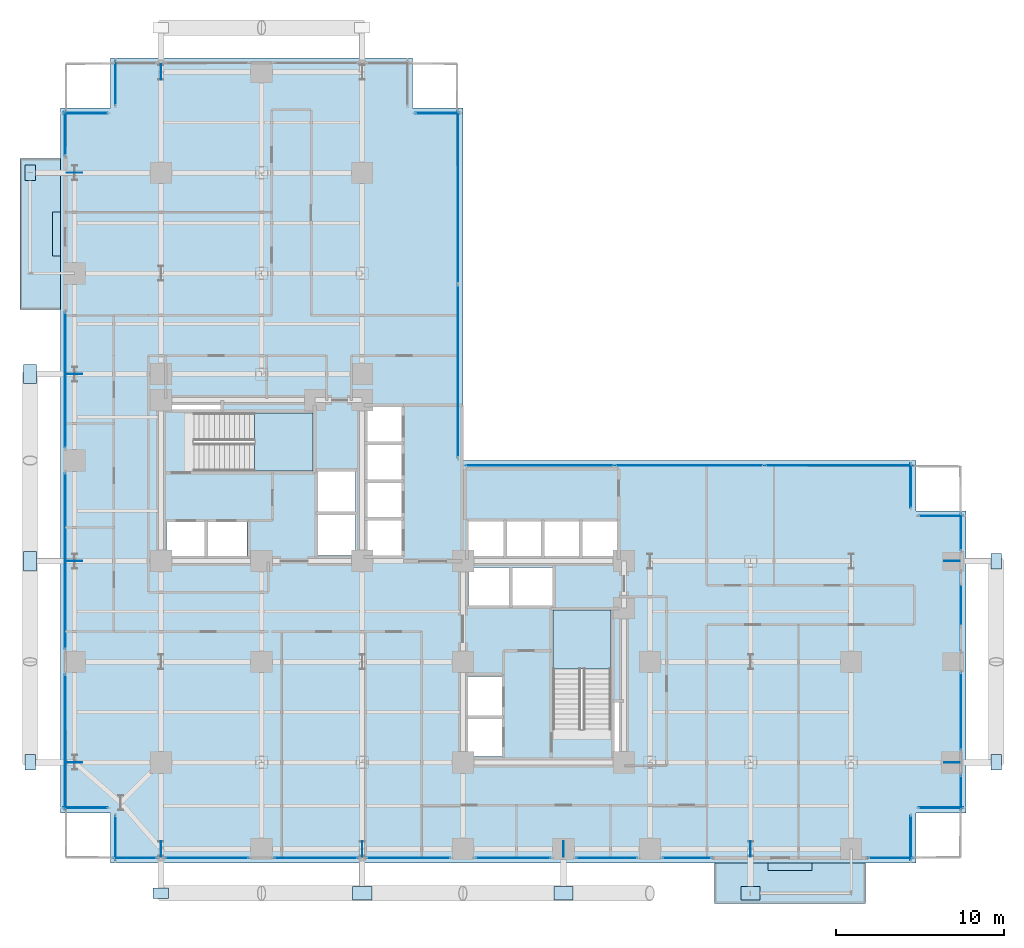
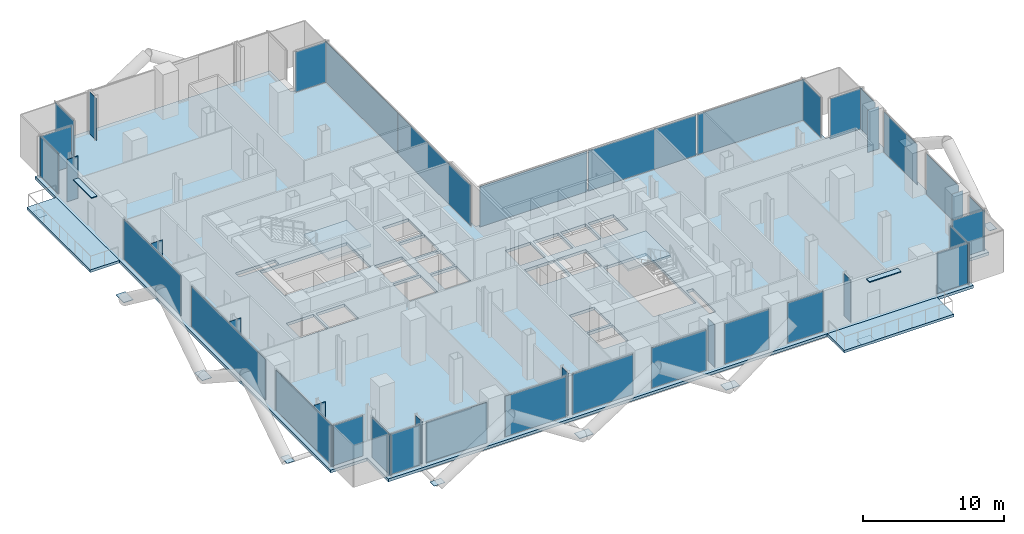
# One storey, part 17 of 27: 53 plates, 5 slabs, 29 elements without a shape of their own.
"""IFC4 building model written with IfcOpenShell, lengths in metres."""

from ifc_helpers import new_model, si_unit, direction, frame, origin, origin_2d, place, context, subcontext, project, spatial, polyline, rectangle, outline, extrude, material, layer, layer_set, type_object, element, aggregate, save


model = new_model("IFC4")

# Units and contexts
model_context = context("Model", 3, precision=1e-05, world=origin(), true_north=direction((0.0, 1.0)))
body_context = subcontext(model_context, "Body", "Model", "MODEL_VIEW")
ifc_project = project(units=[si_unit("LENGTHUNIT", "METRE"), si_unit("AREAUNIT", "SQUARE_METRE"), si_unit("VOLUMEUNIT", "CUBIC_METRE"), si_unit("PLANEANGLEUNIT", "RADIAN"), si_unit("MASSUNIT", "GRAM", prefix="KILO"), si_unit("THERMODYNAMICTEMPERATUREUNIT", "KELVIN"), si_unit("POWERUNIT", "WATT")], contexts=[model_context])

# Site, building, storey
site_placement = place(None, origin())
site = spatial("IfcSite", under=ifc_project, at=site_placement, CompositionType="ELEMENT")
building_placement = place(site_placement, origin())
building = spatial("IfcBuilding", under=site, at=building_placement, Name="Svarakhadi Broadcast Tower", CompositionType="ELEMENT")
storey_placement = place(building_placement, frame((0.0, 0.0, 40.199951171875)))
storey = spatial("IfcBuildingStorey", under=building, at=storey_placement, Name="L08", CompositionType="ELEMENT", Elevation=40.199951171875)

# Curtain wall, plate
ifc_material_1 = material(Name="Anodised Bronze Aluminium AA 6063-T6", Category="aluminium")
ifc_layer_1 = layer(ifc_material_1, 0.219970703125)
ifc_layer_set_1 = layer_set([ifc_layer_1], Name="Anodised Bronze Aluminium AA 6063-T6")
curtain_wall_type = type_object("IfcCurtainWallType", Name="CW_Sys_02", PredefinedType="NOTDEFINED", material=ifc_layer_set_1)
curtain_wall_1_placement = place(storey_placement, origin())
curtain_wall_1 = element("IfcCurtainWall", 1, at=curtain_wall_1_placement, inside=storey, type_object=curtain_wall_type, Name="L08 Unitised Facade Curtain Wall 01", PredefinedType="NOTDEFINED")
ifc_material_2 = material(Name="Double Low-E Laminated Acoustic Glass IGU 36 mm", Category="glass")
ifc_layer_2 = layer(ifc_material_2, 0.035888671875)
ifc_layer_set_2 = layer_set([ifc_layer_2], Name="Double Low-E Laminated Acoustic Glass IGU 36 mm")
plate_type_1 = type_object("IfcPlateType", Name="CW_Sys_02_Pnl", PredefinedType="CURTAIN_PANEL", material=ifc_layer_set_2)
plate_1_placement = place(storey_placement, frame((1.5, 3.300048828125, 0.074951171875), z_axis=(0.0, 0.0, 1.0), x_axis=(-1.0, 0.0, 0.0)))
plate_1 = element("IfcPlate", 2, at=plate_1_placement, type_object=plate_type_1, Name="CW-02 panel 1.1", PredefinedType="CURTAIN_PANEL", context=body_context, shape_type="SweptSolid", body=[
    extrude(rectangle(XDim=2.64990234375, YDim=0.035888671875, at=origin_2d()), origin(), (0.0, 0.0, 1.0), 3.5),
])
aggregate(curtain_wall_1, [plate_1])

curtain_wall_2_placement = place(storey_placement, origin())
curtain_wall_2 = element("IfcCurtainWall", 3, at=curtain_wall_2_placement, inside=storey, type_object=curtain_wall_type, Name="L08 West Curtain Wall 02 Bay 1", PredefinedType="NOTDEFINED")
plate_2_placement = place(storey_placement, frame((0.300048828125, 7.2099609375, 0.074951171875), z_axis=(0.0, 0.0, 1.0), x_axis=(0.0, 1.0, 0.0)))
plate_2 = element("IfcPlate", 4, at=plate_2_placement, type_object=plate_type_1, Name="CW-02 panel 1.1", PredefinedType="CURTAIN_PANEL", context=body_context, shape_type="SweptSolid", body=[
    extrude(rectangle(XDim=8.070068359375, YDim=0.035888671875, at=origin_2d()), origin(), (0.0, 0.0, 1.0), 3.5),
])
aggregate(curtain_wall_2, [plate_2])

curtain_wall_3_placement = place(storey_placement, origin())
curtain_wall_3 = element("IfcCurtainWall", 5, at=curtain_wall_3_placement, inside=storey, type_object=curtain_wall_type, Name="L08 West Curtain Wall 02 Bay 2", PredefinedType="NOTDEFINED")
plate_3_placement = place(storey_placement, frame((0.300048828125, 18.0, 0.074951171875), z_axis=(0.0, 0.0, 1.0), x_axis=(0.0, 1.0, 0.0)))
plate_3 = element("IfcPlate", 6, at=plate_3_placement, type_object=plate_type_1, Name="CW-02 panel 1.1", PredefinedType="CURTAIN_PANEL", context=body_context, shape_type="SweptSolid", body=[
    extrude(rectangle(XDim=10.489990234375, YDim=0.035888671875, at=origin_2d()), origin(), (0.0, 0.0, 1.0), 3.5),
])
aggregate(curtain_wall_3, [plate_3])

curtain_wall_4_placement = place(storey_placement, origin())
curtain_wall_4 = element("IfcCurtainWall", 7, at=curtain_wall_4_placement, inside=storey, type_object=curtain_wall_type, Name="L08 West Curtain Wall 02 Bay 3", PredefinedType="NOTDEFINED")
plate_4_placement = place(storey_placement, frame((0.300048828125, 28.7900390625, 0.074951171875), z_axis=(0.0, 0.0, 1.0), x_axis=(0.0, 1.0, 0.0)))
plate_4 = element("IfcPlate", 8, at=plate_4_placement, type_object=plate_type_1, Name="CW-02 panel 1.1", PredefinedType="CURTAIN_PANEL", context=body_context, shape_type="SweptSolid", body=[
    extrude(rectangle(XDim=8.070068359375, YDim=0.035888671875, at=origin_2d()), origin(), (0.0, 0.0, 1.0), 3.5),
])
aggregate(curtain_wall_4, [plate_4])

curtain_wall_5_placement = place(storey_placement, origin())
curtain_wall_5 = element("IfcCurtainWall", 9, at=curtain_wall_5_placement, inside=storey, type_object=curtain_wall_type, Name="L08 West Curtain Wall 03", PredefinedType="NOTDEFINED")
plate_5_placement = place(storey_placement, frame((0.300048828125, 43.5, 0.074951171875), z_axis=(0.0, 0.0, 1.0), x_axis=(0.0, 1.0, 0.0)))
plate_5 = element("IfcPlate", 10, at=plate_5_placement, type_object=plate_type_1, Name="CW-02 panel 1.1", PredefinedType="CURTAIN_PANEL", context=body_context, shape_type="SweptSolid", body=[
    extrude(rectangle(XDim=2.64990234375, YDim=0.035888671875, at=origin_2d()), origin(), (0.0, 0.0, 1.0), 3.5),
])
aggregate(curtain_wall_5, [plate_5])

curtain_wall_6_placement = place(storey_placement, origin())
curtain_wall_6 = element("IfcCurtainWall", 11, at=curtain_wall_6_placement, inside=storey, type_object=curtain_wall_type, Name="L08 Unitised Facade Curtain Wall 04", PredefinedType="NOTDEFINED")
plate_6_placement = place(storey_placement, frame((1.5, 44.699951171875, 0.074951171875), z_axis=(0.0, 0.0, 1.0), x_axis=(1.0, 0.0, 0.0)))
plate_6 = element("IfcPlate", 12, at=plate_6_placement, type_object=plate_type_1, Name="CW-02 panel 1.1", PredefinedType="CURTAIN_PANEL", context=body_context, shape_type="SweptSolid", body=[
    extrude(rectangle(XDim=2.64990234375, YDim=0.035888671875, at=origin_2d()), origin(), (0.0, 0.0, 1.0), 3.5),
])
aggregate(curtain_wall_6, [plate_6])

curtain_wall_7_placement = place(storey_placement, origin())
curtain_wall_7 = element("IfcCurtainWall", 13, at=curtain_wall_7_placement, inside=storey, type_object=curtain_wall_type, Name="L08 Unitised Facade Curtain Wall 05", PredefinedType="NOTDEFINED")
plate_7_placement = place(storey_placement, frame((3.300048828125, 46.5, 0.074951171875), z_axis=(0.0, 0.0, 1.0), x_axis=(0.0, 1.0, 0.0)))
plate_7 = element("IfcPlate", 14, at=plate_7_placement, type_object=plate_type_1, Name="CW-02 panel 1.1", PredefinedType="CURTAIN_PANEL", context=body_context, shape_type="SweptSolid", body=[
    extrude(rectangle(XDim=2.64990234375, YDim=0.035888671875, at=origin_2d()), origin(), (0.0, 0.0, 1.0), 3.5),
])
aggregate(curtain_wall_7, [plate_7])

curtain_wall_8_placement = place(storey_placement, origin())
curtain_wall_8 = element("IfcCurtainWall", 15, at=curtain_wall_8_placement, inside=storey, type_object=curtain_wall_type, Name="L08 Unitised Facade Curtain Wall 08", PredefinedType="NOTDEFINED")
plate_8_placement = place(storey_placement, frame((22.5, 44.699951171875, 0.074951171875), z_axis=(0.0, 0.0, 1.0), x_axis=(1.0, 0.0, 0.0)))
plate_8 = element("IfcPlate", 16, at=plate_8_placement, type_object=plate_type_1, Name="CW-02 panel 1.1", PredefinedType="CURTAIN_PANEL", context=body_context, shape_type="SweptSolid", body=[
    extrude(rectangle(XDim=2.64990234375, YDim=0.035888671875, at=origin_2d()), origin(), (0.0, 0.0, 1.0), 3.5),
])
aggregate(curtain_wall_8, [plate_8])

# Curtain wall, plates
curtain_wall_9_placement = place(storey_placement, origin())
curtain_wall_9 = element("IfcCurtainWall", 17, at=curtain_wall_9_placement, inside=storey, type_object=curtain_wall_type, Name="L08 Unitised Facade Curtain Wall 09", PredefinedType="NOTDEFINED")
plate_9_placement = place(storey_placement, frame((23.699951171875, 39.683837890625, 0.074951171875), z_axis=(0.0, 0.0, 1.0), x_axis=(0.0, -1.0, 0.0)))
plate_9 = element("IfcPlate", 18, at=plate_9_placement, type_object=plate_type_1, Name="CW-02 panel 1.1", PredefinedType="CURTAIN_PANEL", context=body_context, shape_type="SweptSolid", body=[
    extrude(rectangle(XDim=10.282470703125, YDim=0.035888671875, at=origin_2d()), origin(), (0.0, 0.0, 1.0), 3.5),
])
plate_10_placement = place(storey_placement, frame((23.699951171875, 29.316162109375, 0.074951171875), z_axis=(0.0, 0.0, 1.0), x_axis=(0.0, -1.0, 0.0)))
plate_10 = element("IfcPlate", 19, at=plate_10_placement, type_object=plate_type_1, Name="CW-02 panel 2.1", PredefinedType="CURTAIN_PANEL", context=body_context, shape_type="SweptSolid", body=[
    extrude(rectangle(XDim=10.282470703125, YDim=0.035888671875, at=origin_2d()), origin(), (0.0, 0.0, 1.0), 3.5),
])
aggregate(curtain_wall_9, [plate_9, plate_10])

curtain_wall_10_placement = place(storey_placement, origin())
curtain_wall_10 = element("IfcCurtainWall", 20, at=curtain_wall_10_placement, inside=storey, type_object=curtain_wall_type, Name="L08 Unitised Facade Curtain Wall 10", PredefinedType="NOTDEFINED")
plate_11_placement = place(storey_placement, frame((28.581298828125, 23.699951171875, 0.074951171875), z_axis=(0.0, 0.0, 1.0), x_axis=(1.0, 0.0, 0.0)))
plate_11 = element("IfcPlate", 21, at=plate_11_placement, type_object=plate_type_1, Name="CW-02 panel 1.1", PredefinedType="CURTAIN_PANEL", context=body_context, shape_type="SweptSolid", body=[
    extrude(rectangle(XDim=8.8125, YDim=0.035888671875, at=origin_2d()), origin(), (0.0, 0.0, 1.0), 3.5),
])
plate_12_placement = place(storey_placement, frame((37.5, 23.699951171875, 0.074951171875), z_axis=(0.0, 0.0, 1.0), x_axis=(1.0, 0.0, 0.0)))
plate_12 = element("IfcPlate", 22, at=plate_12_placement, type_object=plate_type_1, Name="CW-02 panel 2.1", PredefinedType="CURTAIN_PANEL", context=body_context, shape_type="SweptSolid", body=[
    extrude(rectangle(XDim=8.85498046875, YDim=0.035888671875, at=origin_2d()), origin(), (0.0, 0.0, 1.0), 3.5),
])
plate_13_placement = place(storey_placement, frame((46.418701171875, 23.699951171875, 0.074951171875), z_axis=(0.0, 0.0, 1.0), x_axis=(1.0, 0.0, 0.0)))
plate_13 = element("IfcPlate", 23, at=plate_13_placement, type_object=plate_type_1, Name="CW-02 panel 3.1", PredefinedType="CURTAIN_PANEL", context=body_context, shape_type="SweptSolid", body=[
    extrude(rectangle(XDim=8.8125, YDim=0.035888671875, at=origin_2d()), origin(), (0.0, 0.0, 1.0), 3.5),
])
aggregate(curtain_wall_10, [plate_11, plate_12, plate_13])

# Curtain wall, plate
curtain_wall_11_placement = place(storey_placement, origin())
curtain_wall_11 = element("IfcCurtainWall", 24, at=curtain_wall_11_placement, inside=storey, type_object=curtain_wall_type, Name="L08 Unitised Facade Curtain Wall 11", PredefinedType="NOTDEFINED")
plate_14_placement = place(storey_placement, frame((50.699951171875, 22.5, 0.074951171875), z_axis=(0.0, 0.0, 1.0), x_axis=(0.0, -1.0, 0.0)))
plate_14 = element("IfcPlate", 25, at=plate_14_placement, type_object=plate_type_1, Name="CW-02 panel 1.1", PredefinedType="CURTAIN_PANEL", context=body_context, shape_type="SweptSolid", body=[
    extrude(rectangle(XDim=2.64990234375, YDim=0.035888671875, at=origin_2d()), origin(), (0.0, 0.0, 1.0), 3.5),
])
aggregate(curtain_wall_11, [plate_14])

curtain_wall_12_placement = place(storey_placement, origin())
curtain_wall_12 = element("IfcCurtainWall", 26, at=curtain_wall_12_placement, inside=storey, type_object=curtain_wall_type, Name="L08 Unitised Facade Curtain Wall 12", PredefinedType="NOTDEFINED")
plate_15_placement = place(storey_placement, frame((52.5, 20.699951171875, 0.074951171875), z_axis=(0.0, 0.0, 1.0), x_axis=(1.0, 0.0, 0.0)))
plate_15 = element("IfcPlate", 27, at=plate_15_placement, type_object=plate_type_1, Name="CW-02 panel 1.1", PredefinedType="CURTAIN_PANEL", context=body_context, shape_type="SweptSolid", body=[
    extrude(rectangle(XDim=2.64990234375, YDim=0.035888671875, at=origin_2d()), origin(), (0.0, 0.0, 1.0), 3.5),
])
aggregate(curtain_wall_12, [plate_15])

curtain_wall_13_placement = place(storey_placement, origin())
curtain_wall_13 = element("IfcCurtainWall", 28, at=curtain_wall_13_placement, inside=storey, type_object=curtain_wall_type, Name="L08 Unitised Facade Curtain Wall 13 Bay 1", PredefinedType="NOTDEFINED")
plate_16_placement = place(storey_placement, frame((53.699951171875, 19.739990234375, 0.074951171875), z_axis=(0.0, 0.0, 1.0), x_axis=(0.0, -1.0, 0.0)))
plate_16 = element("IfcPlate", 29, at=plate_16_placement, type_object=plate_type_1, Name="CW-02 panel 1.1", PredefinedType="CURTAIN_PANEL", context=body_context, shape_type="SweptSolid", body=[
    extrude(rectangle(XDim=2.169921875, YDim=0.035888671875, at=origin_2d()), origin(), (0.0, 0.0, 1.0), 3.5),
])
aggregate(curtain_wall_13, [plate_16])

curtain_wall_14_placement = place(storey_placement, origin())
curtain_wall_14 = element("IfcCurtainWall", 30, at=curtain_wall_14_placement, inside=storey, type_object=curtain_wall_type, Name="L08 Unitised Facade Curtain Wall 13 Bay 2", PredefinedType="NOTDEFINED")
plate_17_placement = place(storey_placement, frame((53.699951171875, 15.0, 0.074951171875), z_axis=(0.0, 0.0, 1.0), x_axis=(0.0, -1.0, 0.0)))
plate_17 = element("IfcPlate", 31, at=plate_17_placement, type_object=plate_type_1, Name="CW-02 panel 1.1", PredefinedType="CURTAIN_PANEL", context=body_context, shape_type="SweptSolid", body=[
    extrude(rectangle(XDim=4.68994140625, YDim=0.035888671875, at=origin_2d()), origin(), (0.0, 0.0, 1.0), 3.5),
])
aggregate(curtain_wall_14, [plate_17])

curtain_wall_15_placement = place(storey_placement, origin())
curtain_wall_15 = element("IfcCurtainWall", 32, at=curtain_wall_15_placement, inside=storey, type_object=curtain_wall_type, Name="L08 Unitised Facade Curtain Wall 13 Bay 3", PredefinedType="NOTDEFINED")
plate_18_placement = place(storey_placement, frame((53.699951171875, 9.050048828125, 0.074951171875), z_axis=(0.0, 0.0, 1.0), x_axis=(0.0, -1.0, 0.0)))
plate_18 = element("IfcPlate", 33, at=plate_18_placement, type_object=plate_type_1, Name="CW-02 panel 1.1", PredefinedType="CURTAIN_PANEL", context=body_context, shape_type="SweptSolid", body=[
    extrude(rectangle(XDim=4.590087890625, YDim=0.035888671875, at=origin_2d()), origin(), (0.0, 0.0, 1.0), 3.5),
])
aggregate(curtain_wall_15, [plate_18])

curtain_wall_16_placement = place(storey_placement, origin())
curtain_wall_16 = element("IfcCurtainWall", 34, at=curtain_wall_16_placement, inside=storey, type_object=curtain_wall_type, Name="L08 Unitised Facade Curtain Wall 13 Bay 4", PredefinedType="NOTDEFINED")
plate_19_placement = place(storey_placement, frame((53.699951171875, 4.2099609375, 0.074951171875), z_axis=(0.0, 0.0, 1.0), x_axis=(0.0, -1.0, 0.0)))
plate_19 = element("IfcPlate", 35, at=plate_19_placement, type_object=plate_type_1, Name="CW-02 panel 1.1", PredefinedType="CURTAIN_PANEL", context=body_context, shape_type="SweptSolid", body=[
    extrude(rectangle(XDim=2.070068359375, YDim=0.035888671875, at=origin_2d()), origin(), (0.0, 0.0, 1.0), 3.5),
])
aggregate(curtain_wall_16, [plate_19])

curtain_wall_17_placement = place(storey_placement, origin())
curtain_wall_17 = element("IfcCurtainWall", 36, at=curtain_wall_17_placement, inside=storey, type_object=curtain_wall_type, Name="L08 Unitised Facade Curtain Wall 14", PredefinedType="NOTDEFINED")
plate_20_placement = place(storey_placement, frame((52.5, 3.300048828125, 0.074951171875), z_axis=(0.0, 0.0, 1.0), x_axis=(-1.0, 0.0, 0.0)))
plate_20 = element("IfcPlate", 37, at=plate_20_placement, type_object=plate_type_1, Name="CW-02 panel 1.1", PredefinedType="CURTAIN_PANEL", context=body_context, shape_type="SweptSolid", body=[
    extrude(rectangle(XDim=2.64990234375, YDim=0.035888671875, at=origin_2d()), origin(), (0.0, 0.0, 1.0), 3.5),
])
aggregate(curtain_wall_17, [plate_20])

curtain_wall_18_placement = place(storey_placement, origin())
curtain_wall_18 = element("IfcCurtainWall", 38, at=curtain_wall_18_placement, inside=storey, type_object=curtain_wall_type, Name="L08 Unitised Facade Curtain Wall 15", PredefinedType="NOTDEFINED")
plate_21_placement = place(storey_placement, frame((50.699951171875, 1.5, 0.074951171875), z_axis=(0.0, 0.0, 1.0), x_axis=(0.0, -1.0, 0.0)))
plate_21 = element("IfcPlate", 39, at=plate_21_placement, type_object=plate_type_1, Name="CW-02 panel 1.1", PredefinedType="CURTAIN_PANEL", context=body_context, shape_type="SweptSolid", body=[
    extrude(rectangle(XDim=2.64990234375, YDim=0.035888671875, at=origin_2d()), origin(), (0.0, 0.0, 1.0), 3.5),
])
aggregate(curtain_wall_18, [plate_21])

curtain_wall_19_placement = place(storey_placement, origin())
curtain_wall_19 = element("IfcCurtainWall", 40, at=curtain_wall_19_placement, inside=storey, type_object=curtain_wall_type, Name="L08 South Curtain Wall 16", PredefinedType="NOTDEFINED")
plate_22_placement = place(storey_placement, frame((49.5, 0.300048828125, 0.074951171875), z_axis=(0.0, 0.0, 1.0), x_axis=(-1.0, 0.0, 0.0)))
plate_22 = element("IfcPlate", 41, at=plate_22_placement, type_object=plate_type_1, Name="CW-02 panel 1.1", PredefinedType="CURTAIN_PANEL", context=body_context, shape_type="SweptSolid", body=[
    extrude(rectangle(XDim=2.64990234375, YDim=0.035888671875, at=origin_2d()), origin(), (0.0, 0.0, 1.0), 3.5),
])
aggregate(curtain_wall_19, [plate_22])

curtain_wall_20_placement = place(storey_placement, origin())
curtain_wall_20 = element("IfcCurtainWall", 42, at=curtain_wall_20_placement, inside=storey, type_object=curtain_wall_type, Name="L08 South Curtain Wall 17 Bay 1", PredefinedType="NOTDEFINED")
plate_23_placement = place(storey_placement, frame((37.364990234375, 0.300048828125, 0.074951171875), z_axis=(0.0, 0.0, 1.0), x_axis=(-1.0, 0.0, 0.0)))
plate_23 = element("IfcPlate", 43, at=plate_23_placement, type_object=plate_type_1, Name="CW-02 panel 1.1", PredefinedType="CURTAIN_PANEL", context=body_context, shape_type="SweptSolid", body=[
    extrude(rectangle(XDim=2.919921875, YDim=0.035888671875, at=origin_2d()), origin(), (0.0, 0.0, 1.0), 3.5),
])
aggregate(curtain_wall_20, [plate_23])

curtain_wall_21_placement = place(storey_placement, origin())
curtain_wall_21 = element("IfcCurtainWall", 44, at=curtain_wall_21_placement, inside=storey, type_object=curtain_wall_type, Name="L08 South Curtain Wall 17 Bay 2", PredefinedType="NOTDEFINED")
plate_24_placement = place(storey_placement, frame((32.574951171875, 0.300048828125, 0.074951171875), z_axis=(0.0, 0.0, 1.0), x_axis=(-1.0, 0.0, 0.0)))
plate_24 = element("IfcPlate", 45, at=plate_24_placement, type_object=plate_type_1, Name="CW-02 panel 1.1", PredefinedType="CURTAIN_PANEL", context=body_context, shape_type="SweptSolid", body=[
    extrude(rectangle(XDim=3.639892578125, YDim=0.035888671875, at=origin_2d()), origin(), (0.0, 0.0, 1.0), 3.5),
])
aggregate(curtain_wall_21, [plate_24])

curtain_wall_22_placement = place(storey_placement, origin())
curtain_wall_22 = element("IfcCurtainWall", 46, at=curtain_wall_22_placement, inside=storey, type_object=curtain_wall_type, Name="L08 South Curtain Wall 17 Bay 3", PredefinedType="NOTDEFINED")
plate_25_placement = place(storey_placement, frame((27.0, 0.300048828125, 0.074951171875), z_axis=(0.0, 0.0, 1.0), x_axis=(-1.0, 0.0, 0.0)))
plate_25 = element("IfcPlate", 47, at=plate_25_placement, type_object=plate_type_1, Name="CW-02 panel 1.1", PredefinedType="CURTAIN_PANEL", context=body_context, shape_type="SweptSolid", body=[
    extrude(rectangle(XDim=4.489990234375, YDim=0.035888671875, at=origin_2d()), origin(), (0.0, 0.0, 1.0), 3.5),
])
aggregate(curtain_wall_22, [plate_25])

curtain_wall_23_placement = place(storey_placement, origin())
curtain_wall_23 = element("IfcCurtainWall", 48, at=curtain_wall_23_placement, inside=storey, type_object=curtain_wall_type, Name="L08 South Curtain Wall 17 Bay 4", PredefinedType="NOTDEFINED")
plate_26_placement = place(storey_placement, frame((20.75, 0.300048828125, 0.074951171875), z_axis=(0.0, 0.0, 1.0), x_axis=(-1.0, 0.0, 0.0)))
plate_26 = element("IfcPlate", 49, at=plate_26_placement, type_object=plate_type_1, Name="CW-02 panel 1.1", PredefinedType="CURTAIN_PANEL", context=body_context, shape_type="SweptSolid", body=[
    extrude(rectangle(XDim=4.989990234375, YDim=0.035888671875, at=origin_2d()), origin(), (0.0, 0.0, 1.0), 3.5),
])
aggregate(curtain_wall_23, [plate_26])

curtain_wall_24_placement = place(storey_placement, origin())
curtain_wall_24 = element("IfcCurtainWall", 50, at=curtain_wall_24_placement, inside=storey, type_object=curtain_wall_type, Name="L08 South Curtain Wall 17 Bay 5", PredefinedType="NOTDEFINED")
plate_27_placement = place(storey_placement, frame((15.25, 0.300048828125, 0.074951171875), z_axis=(0.0, 0.0, 1.0), x_axis=(-1.0, 0.0, 0.0)))
plate_27 = element("IfcPlate", 51, at=plate_27_placement, type_object=plate_type_1, Name="CW-02 panel 1.1", PredefinedType="CURTAIN_PANEL", context=body_context, shape_type="SweptSolid", body=[
    extrude(rectangle(XDim=4.989990234375, YDim=0.035888671875, at=origin_2d()), origin(), (0.0, 0.0, 1.0), 3.5),
])
aggregate(curtain_wall_24, [plate_27])

curtain_wall_25_placement = place(storey_placement, origin())
curtain_wall_25 = element("IfcCurtainWall", 52, at=curtain_wall_25_placement, inside=storey, type_object=curtain_wall_type, Name="L08 South Curtain Wall 17 Bay 6", PredefinedType="NOTDEFINED")
plate_28_placement = place(storey_placement, frame((8.75, 0.300048828125, 0.074951171875), z_axis=(0.0, 0.0, 1.0), x_axis=(-1.0, 0.0, 0.0)))
plate_28 = element("IfcPlate", 53, at=plate_28_placement, type_object=plate_type_1, Name="CW-02 panel 1.1", PredefinedType="CURTAIN_PANEL", context=body_context, shape_type="SweptSolid", body=[
    extrude(rectangle(XDim=4.989990234375, YDim=0.035888671875, at=origin_2d()), origin(), (0.0, 0.0, 1.0), 3.5),
])
aggregate(curtain_wall_25, [plate_28])

curtain_wall_26_placement = place(storey_placement, origin())
curtain_wall_26 = element("IfcCurtainWall", 54, at=curtain_wall_26_placement, inside=storey, type_object=curtain_wall_type, Name="L08 South Curtain Wall 17 Bay 7", PredefinedType="NOTDEFINED")
plate_29_placement = place(storey_placement, frame((4.4599609375, 0.300048828125, 0.074951171875), z_axis=(0.0, 0.0, 1.0), x_axis=(-1.0, 0.0, 0.0)))
plate_29 = element("IfcPlate", 55, at=plate_29_placement, type_object=plate_type_1, Name="CW-02 panel 1.1", PredefinedType="CURTAIN_PANEL", context=body_context, shape_type="SweptSolid", body=[
    extrude(rectangle(XDim=2.570068359375, YDim=0.035888671875, at=origin_2d()), origin(), (0.0, 0.0, 1.0), 3.5),
])
aggregate(curtain_wall_26, [plate_29])

curtain_wall_27_placement = place(storey_placement, origin())
curtain_wall_27 = element("IfcCurtainWall", 56, at=curtain_wall_27_placement, inside=storey, type_object=curtain_wall_type, Name="L08 Unitised Facade Curtain Wall 18", PredefinedType="NOTDEFINED")
plate_30_placement = place(storey_placement, frame((3.300048828125, 1.5, 0.074951171875), z_axis=(0.0, 0.0, 1.0), x_axis=(0.0, 1.0, 0.0)))
plate_30 = element("IfcPlate", 57, at=plate_30_placement, type_object=plate_type_1, Name="CW-02 panel 1.1", PredefinedType="CURTAIN_PANEL", context=body_context, shape_type="SweptSolid", body=[
    extrude(rectangle(XDim=2.64990234375, YDim=0.035888671875, at=origin_2d()), origin(), (0.0, 0.0, 1.0), 3.5),
])
aggregate(curtain_wall_27, [plate_30])

# Plates
ifc_material_3 = material(Name="Steel S460ML (IS 2062 E450BR)", Category="steel")
ifc_layer_3 = layer(ifc_material_3, 0.035888671875)
ifc_layer_set_3 = layer_set([ifc_layer_3], Name="Steel S460ML (IS 2062 E450BR)")
plate_type_2 = type_object("IfcPlateType", Name="Node_Gusset_N01", PredefinedType="SHEET", material=ifc_layer_set_3)
for number, where, z_axis, x_axis, name in (
    (58, (18.0, -1.800048828125, -0.25), (0.0, 0.0, 1.0), (1.0, 0.0, 0.0), "L08 Exoskeleton Gusset Node Plate S02"),
    (59, (30.0, -1.800048828125, -0.25), (0.0, 0.0, 1.0), (1.0, 0.0, 0.0), "L08 Exoskeleton Gusset Node Plate S03"),
    (60, (41.14990234375, -1.800048828125, -0.25), (0.0, 0.0, 1.0), (1.0, 0.0, 0.0), "L08 Exoskeleton Gusset Node Plate S04"),
    (61, (-1.800048828125, 18.0, -0.25), (0.0, 0.0, 1.0), (0.0, 1.0, 0.0), "L08 Exoskeleton Gusset Node Plate W06"),
    (62, (-1.800048828125, 29.14990234375, -0.25), (0.0, 0.0, 1.0), (0.0, 1.0, 0.0), "L08 Exoskeleton Gusset Node Plate W07"),
):
    element("IfcPlate", number, at=place(storey_placement, frame(where, z_axis=z_axis, x_axis=x_axis)), inside=storey, type_object=plate_type_2, Name=name, PredefinedType="SHEET", context=body_context, shape_type="SweptSolid", body=[
        extrude(rectangle(XDim=1.14990234375, YDim=0.780029296875, at=origin_2d()), origin(), (0.0, 0.0, 1.0), 0.035888671875),
    ])
ifc_layer_4 = layer(ifc_material_3, 0.02587890625)
ifc_layer_set_4 = layer_set([ifc_layer_4], Name="Steel S460ML (IS 2062 E450BR)")
plate_type_3 = type_object("IfcPlateType", Name="Node_Gusset_N07", PredefinedType="SHEET", material=ifc_layer_set_4)
for number, where, z_axis, x_axis, name in (
    (63, (6.0, -1.800048828125, -0.25), (0.0, 0.0, 1.0), (1.0, 0.0, 0.0), "L08 Exoskeleton Gusset Node Plate S01"),
    (64, (-1.800048828125, 6.0, -0.25), (0.0, 0.0, 1.0), (0.0, 1.0, 0.0), "L08 Exoskeleton Gusset Node Plate W05"),
    (65, (-1.800048828125, 41.14990234375, -0.25), (0.0, 0.0, 1.0), (0.0, 1.0, 0.0), "L08 Exoskeleton Gusset Node Plate W08"),
    (66, (55.800048828125, 6.0, -0.25), (0.0, 0.0, 1.0), (0.0, 1.0, 0.0), "L08 Exoskeleton Gusset Node Plate E09"),
    (67, (55.800048828125, 18.0, -0.25), (0.0, 0.0, 1.0), (0.0, 1.0, 0.0), "L08 Exoskeleton Gusset Node Plate E10"),
):
    element("IfcPlate", number, at=place(storey_placement, frame(where, z_axis=z_axis, x_axis=x_axis)), inside=storey, type_object=plate_type_3, Name=name, PredefinedType="SHEET", context=body_context, shape_type="SweptSolid", body=[
        extrude(rectangle(XDim=0.919921875, YDim=0.6201171875, at=origin_2d()), origin(), (0.0, 0.0, 1.0), 0.02587890625),
    ])
for number, where, z_axis, x_axis, name in (
    (68, (6.0, 0.85009765625, -0.6279296875), (0.0, 0.0, 1.0), (0.0, 1.0, 0.0), "L08 Brace End Connection Gusset Plate N-07-E0034"),
    (69, (18.0, 0.85009765625, -0.6279296875), (0.0, 0.0, 1.0), (0.0, 1.0, 0.0), "L08 Brace End Connection Gusset Plate N-07-E0035"),
    (70, (30.0, 0.85009765625, -0.6279296875), (0.0, 0.0, 1.0), (0.0, 1.0, 0.0), "L08 Brace End Connection Gusset Plate N-07-E0036"),
    (71, (41.14990234375, 0.85009765625, -0.6279296875), (0.0, 0.0, 1.0), (0.0, 1.0, 0.0), "L08 Brace End Connection Gusset Plate N-07-E0037"),
    (72, (0.85009765625, 6.0, -0.6279296875), (0.0, 0.0, 1.0), (1.0, 0.0, 0.0), "L08 Brace End Connection Gusset Plate N-07-E0038"),
    (73, (0.85009765625, 18.0, -0.6279296875), (0.0, 0.0, 1.0), (1.0, 0.0, 0.0), "L08 Brace End Connection Gusset Plate N-07-E0039"),
    (74, (0.85009765625, 29.14990234375, -0.6279296875), (0.0, 0.0, 1.0), (1.0, 0.0, 0.0), "L08 Brace End Connection Gusset Plate N-07-E0040"),
    (75, (0.85009765625, 41.14990234375, -0.6279296875), (0.0, 0.0, 1.0), (1.0, 0.0, 0.0), "L08 Brace End Connection Gusset Plate N-07-E0041"),
    (76, (53.14990234375, 6.0, -0.6279296875), (0.0, 0.0, 1.0), (1.0, 0.0, 0.0), "L08 Brace End Connection Gusset Plate N-07-E0042"),
    (77, (53.14990234375, 18.0, -0.6279296875), (0.0, 0.0, 1.0), (1.0, 0.0, 0.0), "L08 Brace End Connection Gusset Plate N-07-E0043"),
    (78, (6.0, 47.14990234375, -0.6279296875), (0.0, 0.0, 1.0), (0.0, 1.0, 0.0), "L08 Brace End Connection Gusset Plate N-07-E0044"),
):
    element("IfcPlate", number, at=place(storey_placement, frame(where, z_axis=z_axis, x_axis=x_axis)), inside=storey, type_object=plate_type_3, Name=name, PredefinedType="SHEET", context=body_context, shape_type="SweptSolid", body=[
        extrude(rectangle(XDim=0.919921875, YDim=0.02587890625, at=origin_2d()), origin(), (0.0, 0.0, 1.0), 4.300048828125),
    ])

# Slab
ifc_material_4 = material(Name="Concrete C40/50 (IS 456 M50)", Category="concrete")
ifc_layer_5 = layer(ifc_material_4, 0.25)
ifc_layer_set_5 = layer_set([ifc_layer_5], Name="Concrete C40/50 (IS 456 M50)")
slab_type_1 = type_object("IfcSlabType", Name="Slab_Floor_250", PredefinedType="FLOOR", material=ifc_layer_set_5)
slab_1_placement = place(storey_placement, frame((0.0, 0.0, -0.25)))
element("IfcSlab", 79, at=slab_1_placement, inside=storey, type_object=slab_type_1, Name="L08 Structural Floor Slab", PredefinedType="FLOOR", context=body_context, shape_type="SweptSolid", body=[
    extrude(outline(polyline([(3.0, 0.0), (51.0, 0.0), (51.0, 3.0), (54.0, 3.0), (54.0, 21.0), (51.0, 21.0), (51.0, 24.0), (24.0, 24.0), (24.0, 45.0), (21.0, 45.0), (21.0, 48.0), (3.0, 48.0), (3.0, 45.0), (0.0, 45.0), (0.0, 3.0), (3.0, 3.0), (3.0, 0.0)]), holes=[polyline([(7.97998046875, 23.360107421875), (15.080078125, 23.360107421875), (15.080078125, 26.840087890625), (7.97998046875, 26.840087890625), (7.97998046875, 23.360107421875)]), polyline([(32.840087890625, 7.97998046875), (32.840087890625, 15.080078125), (29.360107421875, 15.080078125), (29.360107421875, 7.97998046875), (32.840087890625, 7.97998046875)]), polyline([(6.340087890625, 18.2900390625), (8.610107421875, 18.2900390625), (8.610107421875, 20.330078125), (6.340087890625, 20.330078125), (6.340087890625, 18.2900390625)]), polyline([(8.7900390625, 18.2900390625), (11.1298828125, 18.2900390625), (11.1298828125, 20.330078125), (8.7900390625, 20.330078125), (8.7900390625, 18.2900390625)]), polyline([(24.2900390625, 6.340087890625), (26.330078125, 6.340087890625), (26.330078125, 8.610107421875), (24.2900390625, 8.610107421875), (24.2900390625, 6.340087890625)]), polyline([(24.2900390625, 8.7900390625), (26.330078125, 8.7900390625), (26.330078125, 11.1298828125), (24.2900390625, 11.1298828125), (24.2900390625, 8.7900390625)]), polyline([(6.340087890625, 26.989990234375), (9.610107421875, 26.989990234375), (9.610107421875, 27.530029296875), (6.340087890625, 27.530029296875), (6.340087890625, 26.989990234375)]), polyline([(32.989990234375, 6.340087890625), (33.530029296875, 6.340087890625), (33.530029296875, 9.610107421875), (32.989990234375, 9.610107421875), (32.989990234375, 6.340087890625)]), polyline([(15.340087890625, 18.340087890625), (17.610107421875, 18.340087890625), (17.610107421875, 20.760009765625), (15.340087890625, 20.760009765625), (15.340087890625, 18.340087890625)]), polyline([(15.340087890625, 20.93994140625), (17.610107421875, 20.93994140625), (17.610107421875, 23.360107421875), (15.340087890625, 23.360107421875), (15.340087890625, 20.93994140625)]), polyline([(24.340087890625, 15.340087890625), (26.760009765625, 15.340087890625), (26.760009765625, 17.610107421875), (24.340087890625, 17.610107421875), (24.340087890625, 15.340087890625)]), polyline([(26.93994140625, 15.340087890625), (29.360107421875, 15.340087890625), (29.360107421875, 17.610107421875), (26.93994140625, 17.610107421875), (26.93994140625, 15.340087890625)]), polyline([(18.239990234375, 18.340087890625), (20.360107421875, 18.340087890625), (20.360107421875, 20.429931640625), (18.239990234375, 20.429931640625), (18.239990234375, 18.340087890625)]), polyline([(18.239990234375, 20.610107421875), (20.360107421875, 20.610107421875), (20.360107421875, 22.679931640625), (18.239990234375, 22.679931640625), (18.239990234375, 20.610107421875)]), polyline([(18.239990234375, 22.860107421875), (20.360107421875, 22.860107421875), (20.360107421875, 24.929931640625), (18.239990234375, 24.929931640625), (18.239990234375, 22.860107421875)]), polyline([(18.239990234375, 25.110107421875), (20.360107421875, 25.110107421875), (20.360107421875, 27.2099609375), (18.239990234375, 27.2099609375), (18.239990234375, 25.110107421875)]), polyline([(24.340087890625, 18.239990234375), (26.429931640625, 18.239990234375), (26.429931640625, 20.360107421875), (24.340087890625, 20.360107421875), (24.340087890625, 18.239990234375)]), polyline([(26.610107421875, 18.239990234375), (28.679931640625, 18.239990234375), (28.679931640625, 20.360107421875), (26.610107421875, 20.360107421875), (26.610107421875, 18.239990234375)]), polyline([(28.860107421875, 18.239990234375), (30.929931640625, 18.239990234375), (30.929931640625, 20.360107421875), (28.860107421875, 20.360107421875), (28.860107421875, 18.239990234375)]), polyline([(31.110107421875, 18.239990234375), (33.2099609375, 18.239990234375), (33.2099609375, 20.360107421875), (31.110107421875, 20.360107421875), (31.110107421875, 18.239990234375)])]), origin(), (0.0, 0.0, 1.0), 0.25),
])

# Stair, slab
stair_type = type_object("IfcStairType", Name="Stair_Exit_Core", PredefinedType="HALF_TURN_STAIR", material=ifc_material_4)
stair_1_placement = place(storey_placement, origin())
stair_1 = element("IfcStair", 80, at=stair_1_placement, inside=storey, type_object=stair_type, Name="L08 West Core Protected Exit Stair ST-01", PredefinedType="HALF_TURN_STAIR")
ifc_layer_6 = layer(ifc_material_4, 0.199951171875)
ifc_layer_set_6 = layer_set([ifc_layer_6], Name="Concrete C40/50 (IS 456 M50)")
slab_type_2 = type_object("IfcSlabType", Name="Slab_Stair_Land", PredefinedType="LANDING", material=ifc_layer_set_6)
slab_2_placement = place(storey_placement, frame((0.0, 0.0, 1.75)))
slab_2 = element("IfcSlab", 81, at=slab_2_placement, type_object=slab_type_2, Name="ST-01 landing 1", PredefinedType="LANDING", context=body_context, shape_type="SweptSolid", body=[
    extrude(outline(polyline([(11.580078125, 23.360107421875), (15.080078125, 23.360107421875), (15.080078125, 26.840087890625), (11.580078125, 26.840087890625), (11.580078125, 23.360107421875)])), origin(), (0.0, 0.0, 1.0), 0.199951171875),
])
aggregate(stair_1, [slab_2])

stair_2_placement = place(storey_placement, origin())
stair_2 = element("IfcStair", 82, at=stair_2_placement, inside=storey, type_object=stair_type, Name="L08 East Core Protected Exit Stair ST-02", PredefinedType="HALF_TURN_STAIR")
slab_3_placement = place(storey_placement, frame((0.0, 0.0, 1.75)))
slab_3 = element("IfcSlab", 83, at=slab_3_placement, type_object=slab_type_2, Name="ST-02 landing 1", PredefinedType="LANDING", context=body_context, shape_type="SweptSolid", body=[
    extrude(outline(polyline([(32.840087890625, 11.580078125), (32.840087890625, 15.080078125), (29.360107421875, 15.080078125), (29.360107421875, 11.580078125), (32.840087890625, 11.580078125)])), origin(), (0.0, 0.0, 1.0), 0.199951171875),
])
aggregate(stair_2, [slab_3])

# Slabs
ifc_layer_7 = layer(ifc_material_4, 0.22509765625)
ifc_layer_set_7 = layer_set([ifc_layer_7], Name="Concrete C40/50 (IS 456 M50)")
slab_type_3 = type_object("IfcSlabType", Name="Slab_TreeBalcony", PredefinedType="FLOOR", material=ifc_layer_set_7)
slab_4_placement = place(storey_placement, frame((0.0, 0.0, -0.224853515625)))
element("IfcSlab", 84, at=slab_4_placement, inside=storey, type_object=slab_type_3, Name="L08 Planted Tree Balcony Slab BAL-E", PredefinedType="FLOOR", context=body_context, shape_type="SweptSolid", body=[
    extrude(outline(polyline([(39.0, -2.39990234375), (48.0, -2.39990234375), (48.0, 0.0), (39.0, 0.0), (39.0, -2.39990234375)])), origin(), (0.0, 0.0, 1.0), 0.224853515625),
])
slab_5_placement = place(storey_placement, frame((0.0, 0.0, -0.224853515625)))
element("IfcSlab", 85, at=slab_5_placement, inside=storey, type_object=slab_type_3, Name="L08 Planted Tree Balcony Slab BAL-N", PredefinedType="FLOOR", context=body_context, shape_type="SweptSolid", body=[
    extrude(outline(polyline([(-2.39990234375, 33.0), (0.0, 33.0), (0.0, 42.0), (-2.39990234375, 42.0), (-2.39990234375, 33.0)])), origin(), (0.0, 0.0, 1.0), 0.224853515625),
])

# Plates
ifc_layer_8 = layer(ifc_material_1, 0.080078125)
ifc_layer_set_8 = layer_set([ifc_layer_8], Name="Anodised Bronze Aluminium AA 6063-T6")
plate_type_4 = type_object("IfcPlateType", Name="Sunshade_Fin_SS01", PredefinedType="USERDEFINED", material=ifc_layer_set_8)
for number, where, z_axis, x_axis, name in (
    (86, (43.5, -0.22509765625, 3.570068359375), (0.0, 0.0, 1.0), (1.0, 0.0, 0.0), "L08 South Bronze Brise-Soleil Sunshade SS-01"),
    (87, (-0.22509765625, 37.5, 3.570068359375), (0.0, 0.0, 1.0), (0.0, 1.0, 0.0), "L08 West Bronze Brise-Soleil Sunshade SS-01"),
):
    element("IfcPlate", number, at=place(storey_placement, frame(where, z_axis=z_axis, x_axis=x_axis)), inside=storey, type_object=plate_type_4, Name=name, ObjectType="SUNSHADE", PredefinedType="USERDEFINED", context=body_context, shape_type="SweptSolid", body=[
        extrude(rectangle(XDim=2.60009765625, YDim=0.449951171875, at=origin_2d()), origin(), (0.0, 0.0, 1.0), 0.080078125),
    ])

save(model, "model.ifc")
